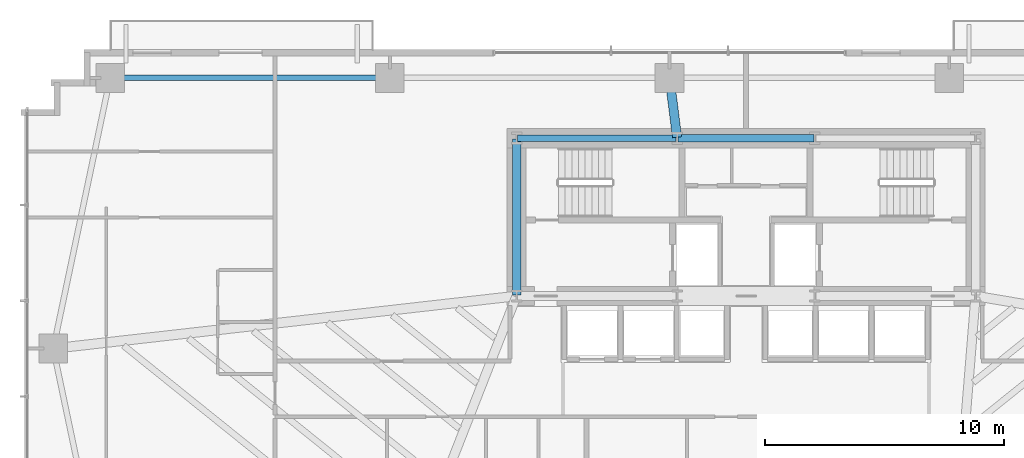
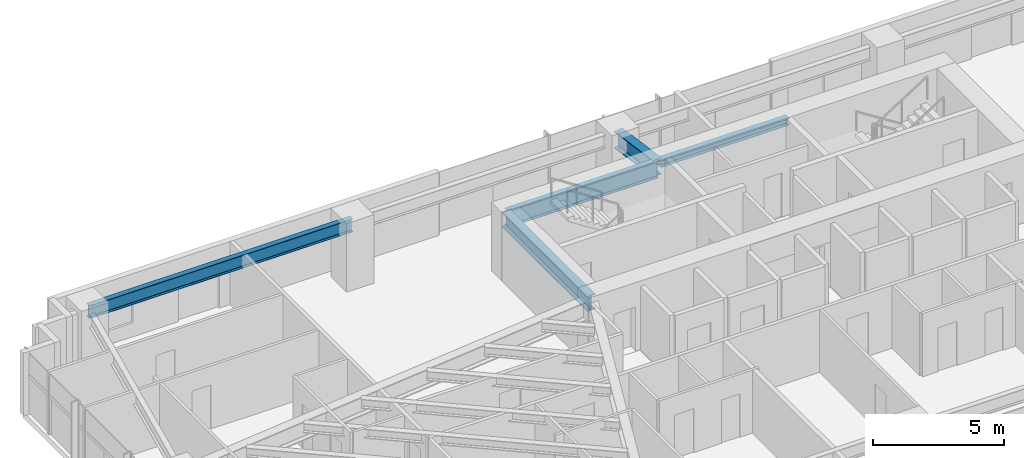
# One storey, part 9 of 25: 5 beams.
"""IFC4 building model written with IfcOpenShell, lengths in metres."""

from ifc_helpers import new_model, si_unit, direction, frame, origin, origin_2d, place, context, subcontext, project, spatial, i_section, extrude, source, transform, mapped, material, material_profile, profile_set, type_object, type_shapes, element, save


model = new_model("IFC4")

# Units and contexts
model_context = context("Model", 3, precision=1e-05, world=origin(), true_north=direction((0.0, 1.0)))
body_context = subcontext(model_context, "Body", "Model", "MODEL_VIEW")
ifc_project = project(units=[si_unit("LENGTHUNIT", "METRE"), si_unit("AREAUNIT", "SQUARE_METRE"), si_unit("VOLUMEUNIT", "CUBIC_METRE"), si_unit("PLANEANGLEUNIT", "RADIAN"), si_unit("MASSUNIT", "GRAM", prefix="KILO")], contexts=[model_context])

# Site, building, storey
site_placement = place(None, origin())
site = spatial("IfcSite", under=ifc_project, at=site_placement, CompositionType="ELEMENT")
building_placement = place(site_placement, origin())
building = spatial("IfcBuilding", under=site, at=building_placement, Name="Astriad Promenade Condominiums", CompositionType="ELEMENT")
storey_placement = place(building_placement, frame((0.0, 0.0, 58.199951171875)))
storey = spatial("IfcBuildingStorey", under=building, at=storey_placement, Name="L16", CompositionType="ELEMENT", Elevation=58.199951171875)

# Beams
ifc_material = material(Name="Steel ASTM A992 Grade 50", Category="steel")
ifc_material_profile_1 = material_profile(ifc_material, i_section(OverallWidth=0.267822265625, OverallDepth=0.76953125, WebThickness=0.015625, FlangeThickness=0.025390625, FilletRadius=0.021484375, at=origin_2d()), Name="W30X132")
ifc_profile_set_1 = profile_set([ifc_material_profile_1], Name="Steel ASTM A992 Grade 50")
beam_type_1 = type_object("IfcBeamType", Name="STEEL FLOOR GIRDER W30X132", PredefinedType="BEAM", material=ifc_profile_set_1)
shared_shape_1 = source(origin(), body_context, "Body", "SweptSolid", [
    extrude(i_section(OverallWidth=0.267822265625, OverallDepth=0.76953125, WebThickness=0.015625, FlangeThickness=0.025390625, FilletRadius=0.021484375, at=origin_2d()), origin(), (0.0, 0.0, 1.0), 6.64013671875),
])
type_shapes(beam_type_1, [shared_shape_1])
beam_1_placement = place(storey_placement, frame((26.43994140625, 24.0, 2.55517578125), z_axis=(1.0, 0.0, 0.0), x_axis=(0.0, 1.0, 0.0)))
element("IfcBeam", 1, at=beam_1_placement, inside=storey, type_object=beam_type_1, Name="Core Ring Beam CG-N1-L16", PredefinedType="BEAM", context=body_context, shape_type="MappedRepresentation", body=[
    mapped(shared_shape_1, transform((0.0, 0.0, 0.0), scale=1.0)),
])
ifc_material_profile_2 = material_profile(ifc_material, i_section(OverallWidth=0.3046875, OverallDepth=0.307861328125, WebThickness=0.010009765625, FlangeThickness=0.015380859375, FilletRadius=0.01513671875, at=origin_2d()), Name="W12X65")
ifc_profile_set_2 = profile_set([ifc_material_profile_2], Name="Steel ASTM A992 Grade 50")
beam_type_2 = type_object("IfcBeamType", Name="STEEL OPENING LINTEL W12X65", PredefinedType="LINTEL", material=ifc_profile_set_2)
shared_shape_2 = source(origin(), body_context, "Body", "SweptSolid", [
    extrude(i_section(OverallWidth=0.3046875, OverallDepth=0.307861328125, WebThickness=0.010009765625, FlangeThickness=0.015380859375, FilletRadius=0.01513671875, at=origin_2d()), origin(), (0.0, 0.0, 1.0), 5.68017578125),
])
type_shapes(beam_type_2, [shared_shape_2])
beam_2_placement = place(storey_placement, frame((33.159912109375, 24.0, 2.7861328125), z_axis=(1.0, 0.0, 0.0), x_axis=(0.0, 1.0, 0.0)))
element("IfcBeam", 2, at=beam_2_placement, inside=storey, type_object=beam_type_2, Name="Core Ring Beam CG-N2-L16", PredefinedType="LINTEL", context=body_context, shape_type="MappedRepresentation", body=[
    mapped(shared_shape_2, transform((0.0, 0.0, 0.0), scale=1.0)),
])
ifc_material_profile_3 = material_profile(ifc_material, i_section(OverallWidth=0.35791015625, OverallDepth=0.706298828125, WebThickness=0.018310546875, FlangeThickness=0.0302734375, FilletRadius=0.020263671875, at=origin_2d()), Name="W27X178")
ifc_profile_set_3 = profile_set([ifc_material_profile_3], Name="Steel ASTM A992 Grade 50")
beam_type_3 = type_object("IfcBeamType", Name="STEEL FLOOR GIRDER W27X178", PredefinedType="BEAM", material=ifc_profile_set_3)
shared_shape_3 = source(origin(), body_context, "Body", "SweptSolid", [
    extrude(i_section(OverallWidth=0.35791015625, OverallDepth=0.706298828125, WebThickness=0.018310546875, FlangeThickness=0.0302734375, FilletRadius=0.020263671875, at=origin_2d()), origin(), (0.0, 0.0, 1.0), 6.52001953125),
])
type_shapes(beam_type_3, [shared_shape_3])
beam_3_placement = place(storey_placement, frame((26.39990234375, 17.43994140625, 2.5869140625), z_axis=(0.0, 1.0, 0.0), x_axis=(-1.0, 0.0, 0.0)))
element("IfcBeam", 3, at=beam_3_placement, inside=storey, type_object=beam_type_3, Name="Core Ring Beam CG-W1-L16", PredefinedType="BEAM", context=body_context, shape_type="MappedRepresentation", body=[
    mapped(shared_shape_3, transform((0.0, 0.0, 0.0), scale=1.0)),
])
ifc_material_profile_4 = material_profile(ifc_material, i_section(OverallWidth=0.22900390625, OverallDepth=0.612060546875, WebThickness=0.011962890625, FlangeThickness=0.01953125, FilletRadius=0.017822265625, at=origin_2d()), Name="W24X84")
ifc_profile_set_4 = profile_set([ifc_material_profile_4], Name="Steel ASTM A992 Grade 50")
beam_type_4 = type_object("IfcBeamType", Name="STEEL SPANDREL BEAM W24X84", PredefinedType="SPANDREL", material=ifc_profile_set_4)
shared_shape_4 = source(origin(), body_context, "Body", "SweptSolid", [
    extrude(i_section(OverallWidth=0.22900390625, OverallDepth=0.612060546875, WebThickness=0.011962890625, FlangeThickness=0.01953125, FilletRadius=0.017822265625, at=origin_2d()), origin(), (0.0, 0.0, 1.0), 11.6201171875),
])
type_shapes(beam_type_4, [shared_shape_4])
beam_4_placement = place(storey_placement, frame((21.06005859375, 26.52001953125, 2.634033203125), z_axis=(-1.0, 0.0, 0.0), x_axis=(0.0, -1.0, 0.0)))
element("IfcBeam", 4, at=beam_4_placement, inside=storey, type_object=beam_type_4, Name="Perimeter Spandrel Beam SP-N1-L16", PredefinedType="SPANDREL", context=body_context, shape_type="MappedRepresentation", body=[
    mapped(shared_shape_4, transform((0.0, 0.0, 0.0), scale=1.0)),
])
ifc_material_profile_5 = material_profile(ifc_material, i_section(OverallWidth=0.3837890625, OverallDepth=0.785888671875, WebThickness=0.019775390625, FlangeThickness=0.033447265625, FilletRadius=0.021484375, at=origin_2d()), Name="W30X211")
ifc_profile_set_5 = profile_set([ifc_material_profile_5], Name="Steel ASTM A992 Grade 50")
beam_type_5 = type_object("IfcBeamType", Name="STEEL FLOOR GIRDER W30X211", PredefinedType="BEAM", material=ifc_profile_set_5)
shared_shape_5 = source(origin(), body_context, "Body", "SweptSolid", [
    extrude(i_section(OverallWidth=0.3837890625, OverallDepth=0.785888671875, WebThickness=0.019775390625, FlangeThickness=0.033447265625, FilletRadius=0.021484375, at=origin_2d()), origin(), (0.0, 0.0, 1.0), 2.4599609375),
])
type_shapes(beam_type_5, [shared_shape_5])
beam_5_placement = place(storey_placement, frame((32.804931640625, 26.480224609375, 2.547119140625), z_axis=(0.126037648346, -0.992025458947, 0.0), x_axis=(0.992025458947, 0.126037648346, 0.0)))
element("IfcBeam", 5, at=beam_5_placement, inside=storey, type_object=beam_type_5, Name="Primary Floor Girder PG-NC-L16", PredefinedType="BEAM", context=body_context, shape_type="MappedRepresentation", body=[
    mapped(shared_shape_5, transform((0.0, 0.0, 0.0), scale=1.0)),
])

save(model, "model.ifc")
